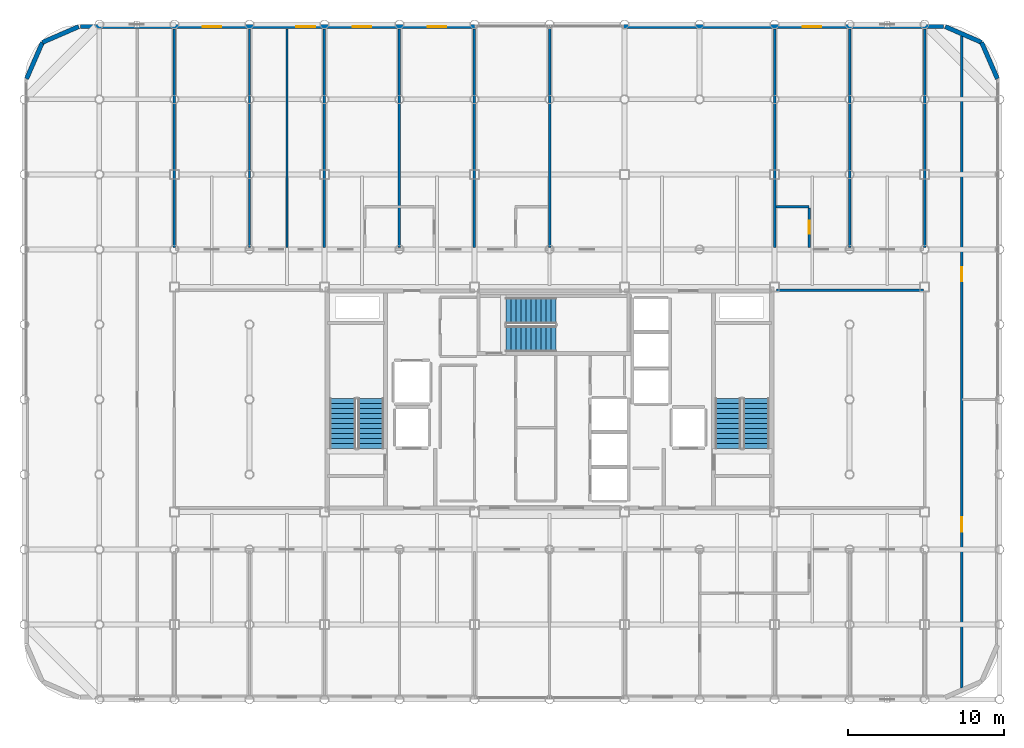
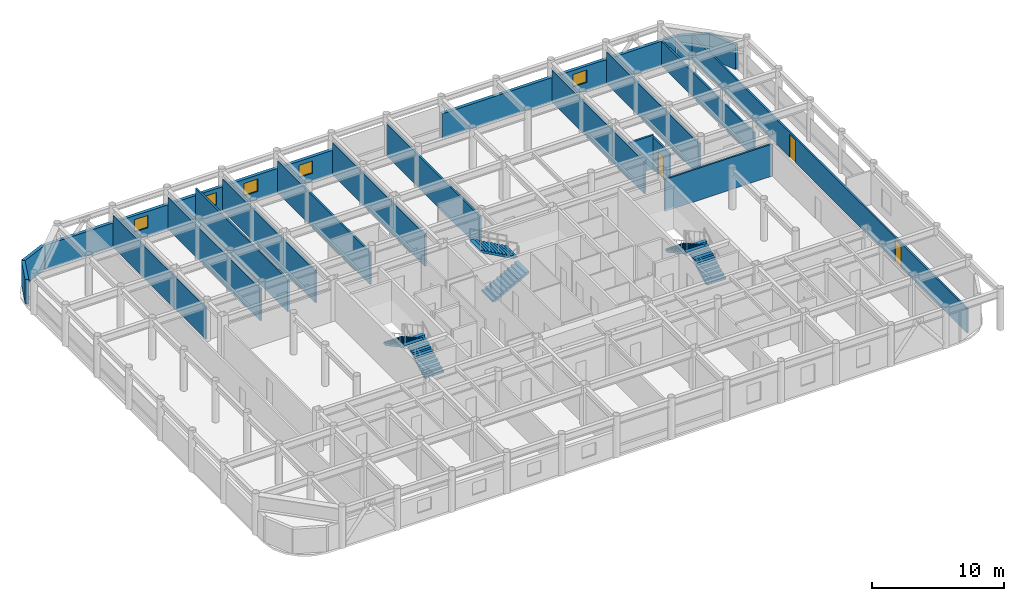
# One storey, part 21 of 22: 20 walls, 6 stair flights, 5 windows, 3 doors, 8 openings, 3 elements without a shape of their own.
"""IFC4 building model written with IfcOpenShell, lengths in metres."""

from ifc_helpers import new_model, si_unit, direction, frame, frame_2d, origin, place, context, subcontext, project, spatial, polyline, rectangle, outline, extrude, material, layer, layer_set, type_object, element, fill, aggregate, save


model = new_model("IFC4")

# Units and contexts
model_context = context("Model", 3, precision=1e-05, world=origin(), true_north=direction((0.0, 1.0)))
body_context = subcontext(model_context, "Body", "Model", "MODEL_VIEW")
ifc_project = project(units=[si_unit("LENGTHUNIT", "METRE"), si_unit("AREAUNIT", "SQUARE_METRE"), si_unit("VOLUMEUNIT", "CUBIC_METRE"), si_unit("PLANEANGLEUNIT", "RADIAN"), si_unit("MASSUNIT", "GRAM", prefix="KILO")], contexts=[model_context])

# Site, building, storey
site_placement = place(None, origin())
site = spatial("IfcSite", under=ifc_project, at=site_placement, CompositionType="ELEMENT")
building_placement = place(site_placement, origin())
building = spatial("IfcBuilding", under=site, at=building_placement, Name="Kallvorn Hotel Tower", CompositionType="ELEMENT")
storey_placement = place(building_placement, frame((0.0, 0.0, 253.10009765625)))
storey = spatial("IfcBuildingStorey", under=building, at=storey_placement, Name="L63", CompositionType="ELEMENT", Elevation=253.10009765625)

# Walls
ifc_material_1 = material(Name="Fire-rated double-layer acoustic gypsum drywall EI 60")
ifc_layer_1 = layer(ifc_material_1, 0.159912109375)
ifc_layer_set_1 = layer_set([ifc_layer_1], Name="WL_DEMISE_160")
wall_type_1 = type_object("IfcWallType", Name="WL_DEMISE_160", PredefinedType="PARTITIONING", material=ifc_layer_set_1)
wall_1_placement = place(storey_placement, frame((14.47998046875, 12.320068359375, 0.0), z_axis=(0.0, 0.0, 1.0), x_axis=(1.0, 0.0, 0.0)))
element("IfcWall", 1, at=wall_1_placement, inside=storey, type_object=wall_type_1, Name="L63 Suite 6306 Standard Twin Room Partition", PredefinedType="PARTITIONING", context=body_context, shape_type="SweptSolid", body=[
    extrude(rectangle(XDim=2.130126953125, YDim=0.159912109375, at=frame_2d((1.06494140625, 0.0))), origin(), (0.0, 0.0, 1.0), 3.119873046875),
])
for number, where, z_axis, x_axis, name in (
    (2, (-14.39990234375, 9.719970703125, 0.0), (0.0, 0.0, 1.0), (0.0, 1.0, 0.0), "L63 Suite 6303 Standard Twin Room Partition"),
    (3, (-9.60009765625, 9.719970703125, 0.0), (0.0, 0.0, 1.0), (0.0, 1.0, 0.0), "L63 Suite 6303 Standard Twin Room Partition"),
    (4, (-4.800048828125, 9.719970703125, 0.0), (0.0, 0.0, 1.0), (0.0, 1.0, 0.0), "L63 Suite 6304 Standard Twin Room Partition"),
):
    element("IfcWall", number, at=place(storey_placement, frame(where, z_axis=z_axis, x_axis=x_axis)), inside=storey, type_object=wall_type_1, Name=name, PredefinedType="PARTITIONING", context=body_context, shape_type="SweptSolid", body=[
        extrude(rectangle(XDim=13.989990234375, YDim=0.159912109375, at=frame_2d((6.9951171875, 0.0))), origin(), (0.0, 0.0, 1.0), 2.969970703125),
    ])
wall_2_placement = place(storey_placement, frame((0.0, 9.719970703125, 0.0), z_axis=(0.0, 0.0, 1.0), x_axis=(0.0, 1.0, 0.0)))
element("IfcWall", 5, at=wall_2_placement, inside=storey, type_object=wall_type_1, Name="L63 Suite 6305 Standard Twin Room Partition", PredefinedType="PARTITIONING", context=body_context, shape_type="SweptSolid", body=[
    extrude(rectangle(XDim=14.074951171875, YDim=0.159912109375, at=frame_2d((7.03759765625, 0.0))), origin(), (0.0, 0.0, 1.0), 2.969970703125),
])
wall_3_placement = place(storey_placement, frame((14.39990234375, 9.719970703125, 0.0), z_axis=(0.0, 0.0, 1.0), x_axis=(0.0, 1.0, 0.0)))
element("IfcWall", 6, at=wall_3_placement, inside=storey, type_object=wall_type_1, Name="L63 Suite 6306 Standard Twin Room Partition", PredefinedType="PARTITIONING", context=body_context, shape_type="SweptSolid", body=[
    extrude(rectangle(XDim=13.989990234375, YDim=0.159912109375, at=frame_2d((6.9951171875, 0.0))), origin(), (0.0, 0.0, 1.0), 2.969970703125),
])

# Wall, opening, door
wall_4_placement = place(storey_placement, frame((16.610107421875, 9.719970703125, 0.0), z_axis=(0.0, 0.0, 1.0), x_axis=(0.0, 1.0, 0.0)))
wall_4 = element("IfcWall", 7, at=wall_4_placement, inside=storey, type_object=wall_type_1, Name="L63 Suite 6306 Standard Twin Room Partition", PredefinedType="PARTITIONING", context=body_context, shape_type="SweptSolid", body=[
    extrude(rectangle(XDim=2.51513671875, YDim=0.159912109375, at=frame_2d((1.257568359375, 0.0))), origin(), (0.0, 0.0, 1.0), 2.969970703125),
])
opening_1_placement = place(wall_4_placement, frame((0.8701171875, 0.0, 0.0)))
opening_1 = element("IfcOpeningElement", 8, at=opening_1_placement, cuts=wall_4, Name="Opening BD-I", PredefinedType="OPENING", context=body_context, shape_type="SweptSolid", body=[
    extrude(rectangle(XDim=0.860107421875, YDim=2.10009765625, at=frame_2d((0.43017578125, 1.050048828125))), frame((0.0, 0.094970703125, 0.0), z_axis=(0.0, -1.0, 0.0), x_axis=(1.0, 0.0, 0.0)), (0.0, 0.0, 1.0), 0.18994140625),
])
ifc_material_2 = material(Name="Solid-core walnut veneer fire-rated timber door leaf", Category="wood")
door_type_1 = type_object("IfcDoorType", Name="DR_BATH_860x2100", OperationType="NOTDEFINED", PredefinedType="DOOR", material=ifc_material_2)
door_1_placement = place(opening_1_placement, origin())
door_1 = element("IfcDoor", 9, at=door_1_placement, inside=storey, type_object=door_type_1, Name="L63 Suite 6306 En-Suite Bathroom Door", OperationType="SINGLE_SWING_LEFT", OverallHeight=2.10009765625, OverallWidth=0.860107421875, PredefinedType="DOOR", context=body_context, shape_type="SweptSolid", body=[
    extrude(rectangle(XDim=0.860107421875, YDim=2.10009765625, at=frame_2d((0.43017578125, 1.050048828125))), frame((0.0, 0.02490234375, 0.0), z_axis=(0.0, -1.0, 0.0), x_axis=(1.0, 0.0, 0.0)), (0.0, 0.0, 1.0), 0.050048828125),
])
fill(opening_1, door_1)

# Walls
wall_5_placement = place(storey_placement, frame((19.199951171875, 9.719970703125, 0.0), z_axis=(0.0, 0.0, 1.0), x_axis=(0.0, 1.0, 0.0)))
element("IfcWall", 10, at=wall_5_placement, inside=storey, type_object=wall_type_1, Name="L63 Suite 6306 Standard Twin Room Partition", PredefinedType="PARTITIONING", context=body_context, shape_type="SweptSolid", body=[
    extrude(rectangle(XDim=13.989990234375, YDim=0.159912109375, at=frame_2d((6.9951171875, 0.0))), origin(), (0.0, 0.0, 1.0), 2.969970703125),
])
ifc_material_3 = material(Name="Precast basalt-clad insulated concrete wall C40/50", Category="masonry")
ifc_layer_2 = layer(ifc_material_3, 0.280029296875)
ifc_layer_set_2 = layer_set([ifc_layer_2], Name="WL_EXT_LOGGIA_280")
wall_type_2 = type_object("IfcWallType", Name="WL_EXT_LOGGIA_280", PredefinedType="SOLIDWALL", material=ifc_layer_set_2)
wall_6_placement = place(storey_placement, frame((28.657958984375, 20.520751953125, 0.0), z_axis=(0.0, 0.0, 1.0), x_axis=(-0.398792985289, 0.917040977756, 0.0)))
element("IfcWall", 11, at=wall_6_placement, inside=storey, type_object=wall_type_2, Name="L63 Rounded Corner Exterior Wall NE1", PredefinedType="SOLIDWALL", context=body_context, shape_type="SweptSolid", body=[
    extrude(rectangle(XDim=2.536376953125, YDim=0.280029296875, at=frame_2d((1.26806640625, 0.0))), origin(), (0.0, 0.0, 1.0), 2.27001953125),
])
for number, where, z_axis, x_axis, name in (
    (12, (27.646484375, 22.8466796875, 0.0), (0.0, 0.0, 1.0), (-0.917060872934, 0.398747232384, 0.0), "L63 Rounded Corner Exterior Wall NE2"),
    (13, (-30.120849609375, 23.85791015625, 0.0), (0.0, 0.0, 1.0), (-0.917060872934, -0.398747232384, 0.0), "L63 Rounded Corner Exterior Wall NW1"),
):
    element("IfcWall", number, at=place(storey_placement, frame(where, z_axis=z_axis, x_axis=x_axis)), inside=storey, type_object=wall_type_2, Name=name, PredefinedType="SOLIDWALL", context=body_context, shape_type="SweptSolid", body=[
        extrude(rectangle(XDim=2.5361328125, YDim=0.280029296875, at=frame_2d((1.26806640625, 0.0))), origin(), (0.0, 0.0, 1.0), 2.27001953125),
    ])
wall_7_placement = place(storey_placement, frame((-32.446533203125, 22.8466796875, 0.0), z_axis=(0.0, 0.0, 1.0), x_axis=(-0.398792985289, -0.917040977756, 0.0)))
element("IfcWall", 14, at=wall_7_placement, inside=storey, type_object=wall_type_2, Name="L63 Rounded Corner Exterior Wall NW2", PredefinedType="SOLIDWALL", context=body_context, shape_type="SweptSolid", body=[
    extrude(rectangle(XDim=2.536376953125, YDim=0.280029296875, at=frame_2d((1.26806640625, 0.0))), origin(), (0.0, 0.0, 1.0), 2.27001953125),
])

# Wall, openings, windows
wall_8_placement = place(storey_placement, frame((-30.0, 23.860107421875, 0.0), z_axis=(0.0, 0.0, 1.0), x_axis=(1.0, 0.0, 0.0)))
wall_8 = element("IfcWall", 15, at=wall_8_placement, inside=storey, type_object=wall_type_2, Name="L63 Exterior Envelope Wall EW-L63-NW", PredefinedType="SOLIDWALL", context=body_context, shape_type="SweptSolid", body=[
    extrude(rectangle(XDim=25.25, YDim=0.280029296875, at=frame_2d((12.625, 0.0))), origin(), (0.0, 0.0, 1.0), 2.27001953125),
])
opening_2_placement = place(wall_8_placement, frame((7.800048828125, 0.0, 0.75)))
opening_2 = element("IfcOpeningElement", 16, at=opening_2_placement, cuts=wall_8, Name="Opening W06A", PredefinedType="OPENING", context=body_context, shape_type="SweptSolid", body=[
    extrude(rectangle(XDim=1.199951171875, YDim=1.14990234375, at=frame_2d((0.60009765625, 0.574951171875))), frame((0.0, 0.155029296875, 0.0), z_axis=(0.0, -1.0, 0.0), x_axis=(1.0, 0.0, 0.0)), (0.0, 0.0, 1.0), 0.31005859375),
])
opening_3_placement = place(wall_8_placement, frame((13.800048828125, 0.0, 0.75)))
opening_3 = element("IfcOpeningElement", 17, at=opening_3_placement, cuts=wall_8, Name="Opening W06A", PredefinedType="OPENING", context=body_context, shape_type="SweptSolid", body=[
    extrude(rectangle(XDim=1.199951171875, YDim=1.14990234375, at=frame_2d((0.60009765625, 0.574951171875))), frame((0.0, 0.155029296875, 0.0), z_axis=(0.0, -1.0, 0.0), x_axis=(1.0, 0.0, 0.0)), (0.0, 0.0, 1.0), 0.31005859375),
])
opening_4_placement = place(wall_8_placement, frame((17.39990234375, 0.0, 0.75)))
opening_4 = element("IfcOpeningElement", 18, at=opening_4_placement, cuts=wall_8, Name="Opening W06A", PredefinedType="OPENING", context=body_context, shape_type="SweptSolid", body=[
    extrude(rectangle(XDim=1.199951171875, YDim=1.14990234375, at=frame_2d((0.60009765625, 0.574951171875))), frame((0.0, 0.155029296875, 0.0), z_axis=(0.0, -1.0, 0.0), x_axis=(1.0, 0.0, 0.0)), (0.0, 0.0, 1.0), 0.31005859375),
])
opening_5_placement = place(wall_8_placement, frame((22.199951171875, 0.0, 0.75)))
opening_5 = element("IfcOpeningElement", 19, at=opening_5_placement, cuts=wall_8, Name="Opening W06A", PredefinedType="OPENING", context=body_context, shape_type="SweptSolid", body=[
    extrude(rectangle(XDim=1.199951171875, YDim=1.14990234375, at=frame_2d((0.60009765625, 0.574951171875))), frame((0.0, 0.155029296875, 0.0), z_axis=(0.0, -1.0, 0.0), x_axis=(1.0, 0.0, 0.0)), (0.0, 0.0, 1.0), 0.31005859375),
])
ifc_material_4 = material(Name="Triple-glazed low-e acoustic solar-control dark glass", Category="glass")
window_type = type_object("IfcWindowType", Name="WN_HTL_1200x1150", PartitioningType="SINGLE_PANEL", PredefinedType="WINDOW", material=ifc_material_4)
window_1_placement = place(opening_2_placement, origin())
window_1 = element("IfcWindow", 20, at=window_1_placement, inside=storey, type_object=window_type, Name="L63 Guestroom Exterior Window 02", OverallHeight=1.14990234375, OverallWidth=1.199951171875, PartitioningType="SINGLE_PANEL", PredefinedType="WINDOW", context=body_context, shape_type="SweptSolid", body=[
    extrude(rectangle(XDim=1.199951171875, YDim=1.14990234375, at=frame_2d((0.60009765625, 0.574951171875))), frame((0.0, 0.030029296875, 0.0), z_axis=(0.0, -1.0, 0.0), x_axis=(1.0, 0.0, 0.0)), (0.0, 0.0, 1.0), 0.06005859375),
])
fill(opening_2, window_1)
window_2_placement = place(opening_3_placement, origin())
window_2 = element("IfcWindow", 21, at=window_2_placement, inside=storey, type_object=window_type, Name="L63 Guestroom Exterior Window 10", OverallHeight=1.14990234375, OverallWidth=1.199951171875, PartitioningType="SINGLE_PANEL", PredefinedType="WINDOW", context=body_context, shape_type="SweptSolid", body=[
    extrude(rectangle(XDim=1.199951171875, YDim=1.14990234375, at=frame_2d((0.60009765625, 0.574951171875))), frame((0.0, 0.030029296875, 0.0), z_axis=(0.0, -1.0, 0.0), x_axis=(1.0, 0.0, 0.0)), (0.0, 0.0, 1.0), 0.06005859375),
])
fill(opening_3, window_2)
window_3_placement = place(opening_4_placement, origin())
window_3 = element("IfcWindow", 22, at=window_3_placement, inside=storey, type_object=window_type, Name="L63 Guestroom Exterior Window 11", OverallHeight=1.14990234375, OverallWidth=1.199951171875, PartitioningType="SINGLE_PANEL", PredefinedType="WINDOW", context=body_context, shape_type="SweptSolid", body=[
    extrude(rectangle(XDim=1.199951171875, YDim=1.14990234375, at=frame_2d((0.60009765625, 0.574951171875))), frame((0.0, 0.030029296875, 0.0), z_axis=(0.0, -1.0, 0.0), x_axis=(1.0, 0.0, 0.0)), (0.0, 0.0, 1.0), 0.06005859375),
])
fill(opening_4, window_3)
window_4_placement = place(opening_5_placement, origin())
window_4 = element("IfcWindow", 23, at=window_4_placement, inside=storey, type_object=window_type, Name="L63 Guestroom Exterior Window 12", OverallHeight=1.14990234375, OverallWidth=1.199951171875, PartitioningType="SINGLE_PANEL", PredefinedType="WINDOW", context=body_context, shape_type="SweptSolid", body=[
    extrude(rectangle(XDim=1.199951171875, YDim=1.14990234375, at=frame_2d((0.60009765625, 0.574951171875))), frame((0.0, 0.030029296875, 0.0), z_axis=(0.0, -1.0, 0.0), x_axis=(1.0, 0.0, 0.0)), (0.0, 0.0, 1.0), 0.06005859375),
])
fill(opening_5, window_4)

# Wall, opening, window
wall_9_placement = place(storey_placement, frame((4.75, 23.860107421875, 0.0), z_axis=(0.0, 0.0, 1.0), x_axis=(1.0, 0.0, 0.0)))
wall_9 = element("IfcWall", 24, at=wall_9_placement, inside=storey, type_object=wall_type_2, Name="L63 Exterior Envelope Wall EW-L63-NE", PredefinedType="SOLIDWALL", context=body_context, shape_type="SweptSolid", body=[
    extrude(rectangle(XDim=20.449951171875, YDim=0.280029296875, at=frame_2d((10.22509765625, 0.0))), origin(), (0.0, 0.0, 1.0), 2.27001953125),
])
opening_6_placement = place(wall_9_placement, frame((11.449951171875, 0.0, 0.75)))
opening_6 = element("IfcOpeningElement", 25, at=opening_6_placement, cuts=wall_9, Name="Opening W06A", PredefinedType="OPENING", context=body_context, shape_type="SweptSolid", body=[
    extrude(rectangle(XDim=1.199951171875, YDim=1.14990234375, at=frame_2d((0.60009765625, 0.574951171875))), frame((0.0, 0.155029296875, 0.0), z_axis=(0.0, -1.0, 0.0), x_axis=(1.0, 0.0, 0.0)), (0.0, 0.0, 1.0), 0.31005859375),
])
window_5_placement = place(opening_6_placement, origin())
window_5 = element("IfcWindow", 26, at=window_5_placement, inside=storey, type_object=window_type, Name="L63 Guestroom Exterior Window 13", OverallHeight=1.14990234375, OverallWidth=1.199951171875, PartitioningType="SINGLE_PANEL", PredefinedType="WINDOW", context=body_context, shape_type="SweptSolid", body=[
    extrude(rectangle(XDim=1.199951171875, YDim=1.14990234375, at=frame_2d((0.60009765625, 0.574951171875))), frame((0.0, 0.030029296875, 0.0), z_axis=(0.0, -1.0, 0.0), x_axis=(1.0, 0.0, 0.0)), (0.0, 0.0, 1.0), 0.06005859375),
])
fill(opening_6, window_5)

# Walls
ifc_material_5 = material(Name="Fire-rated double-layer acoustic gypsum drywall EI 60")
ifc_layer_3 = layer(ifc_material_5, 0.14990234375)
ifc_layer_set_3 = layer_set([ifc_layer_3], Name="WL_PART_150")
wall_type_3 = type_object("IfcWallType", Name="WL_PART_150", PredefinedType="PARTITIONING", material=ifc_layer_set_3)
wall_10_placement = place(storey_placement, frame((14.52001953125, 6.97998046875, 0.0), z_axis=(0.0, 0.0, 1.0), x_axis=(1.0, 0.0, 0.0)))
element("IfcWall", 27, at=wall_10_placement, inside=storey, type_object=wall_type_3, Name="L63 L63 High-Zone Inner East Club Gallery Partition", PredefinedType="PARTITIONING", context=body_context, shape_type="SweptSolid", body=[
    extrude(rectangle(XDim=9.39990234375, YDim=0.14990234375, at=frame_2d((4.699951171875, 0.0))), origin(), (0.0, 0.0, 1.0), 2.969970703125),
])
for number, where, z_axis, x_axis, name in (
    (28, (-24.0, 9.719970703125, 0.0), (0.0, 0.0, 1.0), (0.0, 1.0, 0.0), "L63 L63 High-Zone North-West Reading Salon Partition"),
    (29, (-19.199951171875, 9.719970703125, 0.0), (0.0, 0.0, 1.0), (0.0, 1.0, 0.0), "L63 Housekeeping and Linen Room Partition"),
    (30, (-16.800048828125, 9.719970703125, 0.0), (0.0, 0.0, 1.0), (0.0, 1.0, 0.0), "L63 Guest Tea and Refreshment Bar Partition"),
):
    element("IfcWall", number, at=place(storey_placement, frame(where, z_axis=z_axis, x_axis=x_axis)), inside=storey, type_object=wall_type_3, Name=name, PredefinedType="PARTITIONING", context=body_context, shape_type="SweptSolid", body=[
        extrude(rectangle(XDim=13.989990234375, YDim=0.14990234375, at=frame_2d((6.9951171875, 0.0))), origin(), (0.0, 0.0, 1.0), 2.969970703125),
    ])
wall_11_placement = place(storey_placement, frame((24.0, 9.719970703125, 0.0), z_axis=(0.0, 0.0, 1.0), x_axis=(0.0, 1.0, 0.0)))
element("IfcWall", 31, at=wall_11_placement, inside=storey, type_object=wall_type_3, Name="L63 L63 High-Zone North-East Pastry Bar Partition", PredefinedType="PARTITIONING", context=body_context, shape_type="SweptSolid", body=[
    extrude(rectangle(XDim=13.989990234375, YDim=0.14990234375, at=frame_2d((6.9951171875, 0.0))), origin(), (0.0, 0.0, 1.0), 2.27001953125),
])

# Wall, openings, doors
wall_12_placement = place(storey_placement, frame((26.3798828125, -18.447265625, 0.0), z_axis=(0.0, 0.0, 1.0), x_axis=(0.0, 1.0, 0.0)))
wall_12 = element("IfcWall", 32, at=wall_12_placement, inside=storey, type_object=wall_type_3, Name="L63 L63 Outer East South Tasting Bar Partition", PredefinedType="PARTITIONING", context=body_context, shape_type="SweptSolid", body=[
    extrude(rectangle(XDim=41.694580078125, YDim=0.14990234375, at=frame_2d((20.84716796875, 0.0))), origin(), (0.0, 0.0, 1.0), 2.27001953125),
])
opening_7_placement = place(wall_12_placement, frame((9.997314453125, 0.0, 0.0)))
opening_7 = element("IfcOpeningElement", 33, at=opening_7_placement, cuts=wall_12, Name="Opening SVD1", PredefinedType="OPENING", context=body_context, shape_type="SweptSolid", body=[
    extrude(rectangle(XDim=0.89990234375, YDim=2.10009765625, at=frame_2d((0.449951171875, 1.050048828125))), frame((0.0, 0.08984375, 0.0), z_axis=(0.0, -1.0, 0.0), x_axis=(1.0, 0.0, 0.0)), (0.0, 0.0, 1.0), 0.179931640625),
])
opening_8_placement = place(wall_12_placement, frame((25.997314453125, 0.0, 0.0)))
opening_8 = element("IfcOpeningElement", 34, at=opening_8_placement, cuts=wall_12, Name="Opening SVD1", PredefinedType="OPENING", context=body_context, shape_type="SweptSolid", body=[
    extrude(rectangle(XDim=0.89990234375, YDim=2.10009765625, at=frame_2d((0.449951171875, 1.050048828125))), frame((0.0, 0.08984375, 0.0), z_axis=(0.0, -1.0, 0.0), x_axis=(1.0, 0.0, 0.0)), (0.0, 0.0, 1.0), 0.179931640625),
])
ifc_material_6 = material(Name="Galvanised painted steel fire-rated door assembly", Category="steel")
door_type_2 = type_object("IfcDoorType", Name="DR_SERV_900x2100", OperationType="NOTDEFINED", PredefinedType="DOOR", material=ifc_material_6)
door_2_placement = place(opening_7_placement, origin())
door_2 = element("IfcDoor", 35, at=door_2_placement, inside=storey, type_object=door_type_2, Name="L63 L63 Outer East South Tasting Bar Door", OperationType="SINGLE_SWING_LEFT", OverallHeight=2.10009765625, OverallWidth=0.89990234375, PredefinedType="DOOR", context=body_context, shape_type="SweptSolid", body=[
    extrude(rectangle(XDim=0.89990234375, YDim=2.10009765625, at=frame_2d((0.449951171875, 1.050048828125))), frame((0.0, 0.02490234375, 0.0), z_axis=(0.0, -1.0, 0.0), x_axis=(1.0, 0.0, 0.0)), (0.0, 0.0, 1.0), 0.050048828125),
])
fill(opening_7, door_2)
door_3_placement = place(opening_8_placement, origin())
door_3 = element("IfcDoor", 36, at=door_3_placement, inside=storey, type_object=door_type_2, Name="L63 L63 Outer East North Collectors Gallery Door", OperationType="SINGLE_SWING_RIGHT", OverallHeight=2.10009765625, OverallWidth=0.89990234375, PredefinedType="DOOR", context=body_context, shape_type="SweptSolid", body=[
    extrude(rectangle(XDim=0.89990234375, YDim=2.10009765625, at=frame_2d((0.449951171875, 1.050048828125))), frame((0.0, 0.02490234375, 0.0), z_axis=(0.0, -1.0, 0.0), x_axis=(1.0, 0.0, 0.0)), (0.0, 0.0, 1.0), 0.050048828125),
])
fill(opening_8, door_3)

# Stair, stair flights
ifc_material_7 = material(Name="Precast concrete C40/50", Category="concrete")
stair_type = type_object("IfcStairType", Name="STR_CORE_DOGLEG", PredefinedType="HALF_TURN_STAIR", material=ifc_material_7)
stair_1_placement = place(storey_placement, origin())
stair_1 = element("IfcStair", 37, at=stair_1_placement, inside=storey, type_object=stair_type, Name="L63 Exit stair ST1", PredefinedType="HALF_TURN_STAIR")
ifc_material_8 = material(Name="Precast concrete C40/50", Category="concrete")
stair_flight_type = type_object("IfcStairFlightType", Name="FLT_CORE_1660", PredefinedType="STRAIGHT", material=ifc_material_8)
stair_flight_1_placement = place(storey_placement, frame((-11.429931640625, -3.139892578125, 0.0), z_axis=(0.0, 0.0, 1.0), x_axis=(0.0, 1.0, 0.0)))
stair_flight_1 = element("IfcStairFlight", 38, at=stair_flight_1_placement, type_object=stair_flight_type, Name="ST1 flight 1", NumberOfRisers=11, NumberOfTreads=10, PredefinedType="STRAIGHT", RiserHeight=0.175, TreadLength=0.32, context=body_context, shape_type="SweptSolid", body=[
    extrude(outline(polyline([(0.0, 0.0), (0.0, 0.175048828125), (0.320068359375, 0.175048828125), (0.320068359375, 0.35009765625), (0.639892578125, 0.35009765625), (0.639892578125, 0.52490234375), (0.9599609375, 0.52490234375), (0.9599609375, 0.699951171875), (1.280029296875, 0.699951171875), (1.280029296875, 0.875), (1.60009765625, 0.875), (1.60009765625, 1.050048828125), (1.919921875, 1.050048828125), (1.919921875, 1.22509765625), (2.239990234375, 1.22509765625), (2.239990234375, 1.39990234375), (2.56005859375, 1.39990234375), (2.56005859375, 1.574951171875), (2.8798828125, 1.574951171875), (2.8798828125, 1.75), (3.199951171875, 1.75), (3.199951171875, 1.925048828125), (3.199951171875, 1.5791015625), (0.3125, 0.0), (0.0, 0.0)])), frame((0.0, 0.830078125, 0.0), z_axis=(0.0, -1.0, 0.0), x_axis=(1.0, 0.0, 0.0)), (0.0, 0.0, 1.0), 1.659912109375),
])
stair_flight_2_placement = place(storey_placement, frame((-13.22998046875, 0.06005859375, 1.9248046875), z_axis=(0.0, 0.0, 1.0), x_axis=(0.0, -1.0, 0.0)))
stair_flight_2 = element("IfcStairFlight", 39, at=stair_flight_2_placement, type_object=stair_flight_type, Name="ST1 flight 2", NumberOfRisers=11, NumberOfTreads=10, PredefinedType="STRAIGHT", RiserHeight=0.175, TreadLength=0.32, context=body_context, shape_type="SweptSolid", body=[
    extrude(outline(polyline([(0.0, 0.0), (0.0, 0.175048828125), (0.320068359375, 0.175048828125), (0.320068359375, 0.35009765625), (0.639892578125, 0.35009765625), (0.639892578125, 0.52490234375), (0.9599609375, 0.52490234375), (0.9599609375, 0.699951171875), (1.280029296875, 0.699951171875), (1.280029296875, 0.875), (1.60009765625, 0.875), (1.60009765625, 1.050048828125), (1.919921875, 1.050048828125), (1.919921875, 1.22509765625), (2.239990234375, 1.22509765625), (2.239990234375, 1.39990234375), (2.56005859375, 1.39990234375), (2.56005859375, 1.574951171875), (2.8798828125, 1.574951171875), (2.8798828125, 1.75), (3.199951171875, 1.75), (3.199951171875, 1.925048828125), (3.199951171875, 1.5791015625), (0.3125, 0.0), (0.0, 0.0)])), frame((0.0, 0.830078125, 0.0), z_axis=(0.0, -1.0, 0.0), x_axis=(1.0, 0.0, 0.0)), (0.0, 0.0, 1.0), 1.659912109375),
])
aggregate(stair_1, [stair_flight_1, stair_flight_2])

stair_2_placement = place(storey_placement, origin())
stair_2 = element("IfcStair", 40, at=stair_2_placement, inside=storey, type_object=stair_type, Name="L63 Exit stair ST2", PredefinedType="HALF_TURN_STAIR")
stair_flight_3_placement = place(storey_placement, frame((13.22998046875, -3.139892578125, 0.0), z_axis=(0.0, 0.0, 1.0), x_axis=(0.0, 1.0, 0.0)))
stair_flight_3 = element("IfcStairFlight", 41, at=stair_flight_3_placement, type_object=stair_flight_type, Name="ST2 flight 1", NumberOfRisers=11, NumberOfTreads=10, PredefinedType="STRAIGHT", RiserHeight=0.175, TreadLength=0.32, context=body_context, shape_type="SweptSolid", body=[
    extrude(outline(polyline([(0.0, 0.0), (0.0, 0.175048828125), (0.320068359375, 0.175048828125), (0.320068359375, 0.35009765625), (0.639892578125, 0.35009765625), (0.639892578125, 0.52490234375), (0.9599609375, 0.52490234375), (0.9599609375, 0.699951171875), (1.280029296875, 0.699951171875), (1.280029296875, 0.875), (1.60009765625, 0.875), (1.60009765625, 1.050048828125), (1.919921875, 1.050048828125), (1.919921875, 1.22509765625), (2.239990234375, 1.22509765625), (2.239990234375, 1.39990234375), (2.56005859375, 1.39990234375), (2.56005859375, 1.574951171875), (2.8798828125, 1.574951171875), (2.8798828125, 1.75), (3.199951171875, 1.75), (3.199951171875, 1.925048828125), (3.199951171875, 1.5791015625), (0.3125, 0.0), (0.0, 0.0)])), frame((0.0, 0.830078125, 0.0), z_axis=(0.0, -1.0, 0.0), x_axis=(1.0, 0.0, 0.0)), (0.0, 0.0, 1.0), 1.659912109375),
])
stair_flight_4_placement = place(storey_placement, frame((11.429931640625, 0.06005859375, 1.9248046875), z_axis=(0.0, 0.0, 1.0), x_axis=(0.0, -1.0, 0.0)))
stair_flight_4 = element("IfcStairFlight", 42, at=stair_flight_4_placement, type_object=stair_flight_type, Name="ST2 flight 2", NumberOfRisers=11, NumberOfTreads=10, PredefinedType="STRAIGHT", RiserHeight=0.175, TreadLength=0.32, context=body_context, shape_type="SweptSolid", body=[
    extrude(outline(polyline([(0.0, 0.0), (0.0, 0.175048828125), (0.320068359375, 0.175048828125), (0.320068359375, 0.35009765625), (0.639892578125, 0.35009765625), (0.639892578125, 0.52490234375), (0.9599609375, 0.52490234375), (0.9599609375, 0.699951171875), (1.280029296875, 0.699951171875), (1.280029296875, 0.875), (1.60009765625, 0.875), (1.60009765625, 1.050048828125), (1.919921875, 1.050048828125), (1.919921875, 1.22509765625), (2.239990234375, 1.22509765625), (2.239990234375, 1.39990234375), (2.56005859375, 1.39990234375), (2.56005859375, 1.574951171875), (2.8798828125, 1.574951171875), (2.8798828125, 1.75), (3.199951171875, 1.75), (3.199951171875, 1.925048828125), (3.199951171875, 1.5791015625), (0.3125, 0.0), (0.0, 0.0)])), frame((0.0, 0.830078125, 0.0), z_axis=(0.0, -1.0, 0.0), x_axis=(1.0, 0.0, 0.0)), (0.0, 0.0, 1.0), 1.659912109375),
])
aggregate(stair_2, [stair_flight_3, stair_flight_4])

stair_3_placement = place(storey_placement, origin())
stair_3 = element("IfcStair", 43, at=stair_3_placement, inside=storey, type_object=stair_type, Name="L63 Exit stair ST3", PredefinedType="HALF_TURN_STAIR")
stair_flight_5_placement = place(storey_placement, frame((-2.7900390625, 3.8798828125, 0.0), z_axis=(0.0, 0.0, 1.0), x_axis=(1.0, 0.0, 0.0)))
stair_flight_5 = element("IfcStairFlight", 44, at=stair_flight_5_placement, type_object=stair_flight_type, Name="ST3 flight 1", NumberOfRisers=11, NumberOfTreads=10, PredefinedType="STRAIGHT", RiserHeight=0.175, TreadLength=0.32, context=body_context, shape_type="SweptSolid", body=[
    extrude(outline(polyline([(0.0, 0.0), (0.0, 0.175048828125), (0.320068359375, 0.175048828125), (0.320068359375, 0.35009765625), (0.639892578125, 0.35009765625), (0.639892578125, 0.52490234375), (0.9599609375, 0.52490234375), (0.9599609375, 0.699951171875), (1.280029296875, 0.699951171875), (1.280029296875, 0.875), (1.60009765625, 0.875), (1.60009765625, 1.050048828125), (1.919921875, 1.050048828125), (1.919921875, 1.22509765625), (2.239990234375, 1.22509765625), (2.239990234375, 1.39990234375), (2.56005859375, 1.39990234375), (2.56005859375, 1.574951171875), (2.8798828125, 1.574951171875), (2.8798828125, 1.75), (3.199951171875, 1.75), (3.199951171875, 1.925048828125), (3.199951171875, 1.5791015625), (0.3125, 0.0), (0.0, 0.0)])), frame((0.0, 0.830078125, 0.0), z_axis=(0.0, -1.0, 0.0), x_axis=(1.0, 0.0, 0.0)), (0.0, 0.0, 1.0), 1.659912109375),
])
stair_flight_6_placement = place(storey_placement, frame((0.409912109375, 5.679931640625, 1.9248046875), z_axis=(0.0, 0.0, 1.0), x_axis=(-1.0, 0.0, 0.0)))
stair_flight_6 = element("IfcStairFlight", 45, at=stair_flight_6_placement, type_object=stair_flight_type, Name="ST3 flight 2", NumberOfRisers=11, NumberOfTreads=10, PredefinedType="STRAIGHT", RiserHeight=0.175, TreadLength=0.32, context=body_context, shape_type="SweptSolid", body=[
    extrude(outline(polyline([(0.0, 0.0), (0.0, 0.175048828125), (0.320068359375, 0.175048828125), (0.320068359375, 0.35009765625), (0.639892578125, 0.35009765625), (0.639892578125, 0.52490234375), (0.9599609375, 0.52490234375), (0.9599609375, 0.699951171875), (1.280029296875, 0.699951171875), (1.280029296875, 0.875), (1.60009765625, 0.875), (1.60009765625, 1.050048828125), (1.919921875, 1.050048828125), (1.919921875, 1.22509765625), (2.239990234375, 1.22509765625), (2.239990234375, 1.39990234375), (2.56005859375, 1.39990234375), (2.56005859375, 1.574951171875), (2.8798828125, 1.574951171875), (2.8798828125, 1.75), (3.199951171875, 1.75), (3.199951171875, 1.925048828125), (3.199951171875, 1.5791015625), (0.3125, 0.0), (0.0, 0.0)])), frame((0.0, 0.830078125, 0.0), z_axis=(0.0, -1.0, 0.0), x_axis=(1.0, 0.0, 0.0)), (0.0, 0.0, 1.0), 1.659912109375),
])
aggregate(stair_3, [stair_flight_5, stair_flight_6])

save(model, "model.ifc")
